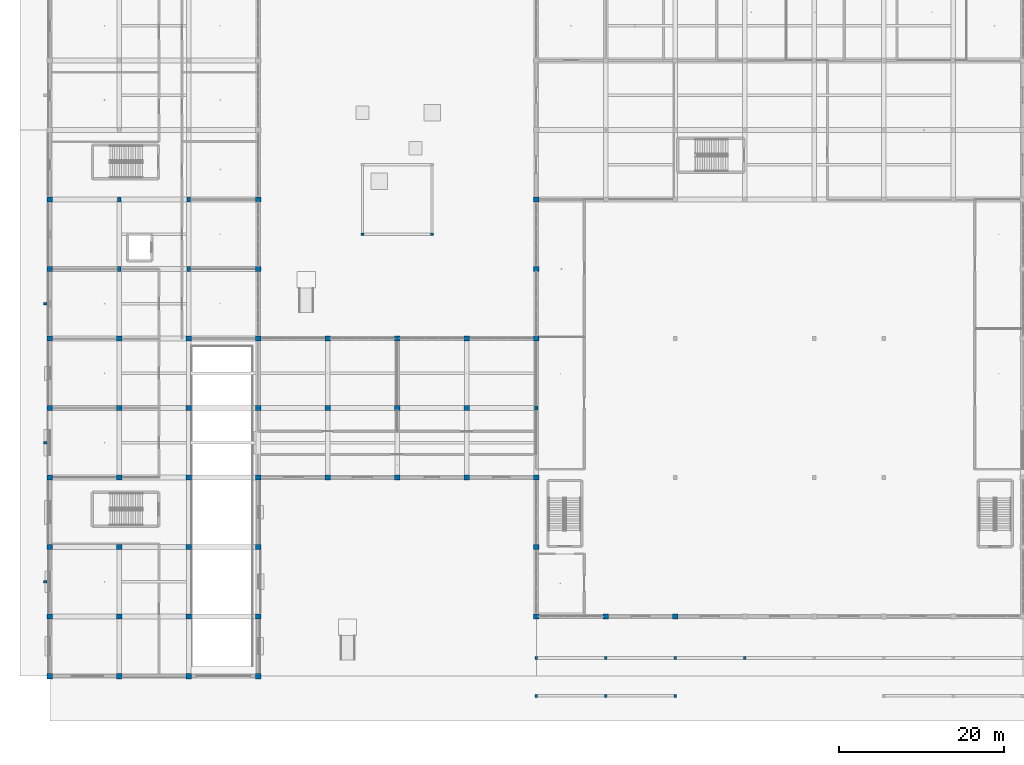
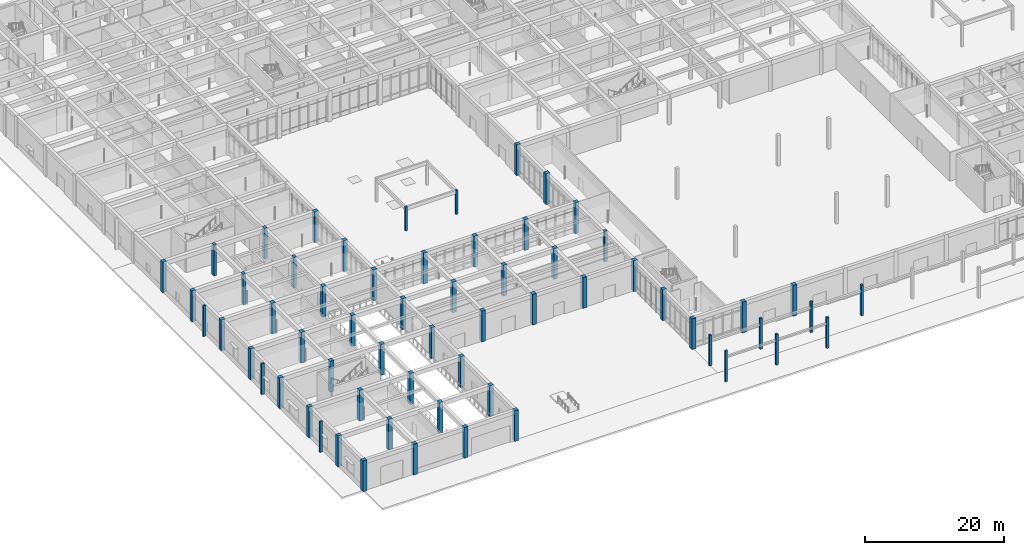
# One storey, part 1 of 167: 62 columns.
"""IFC4 building model written with IfcOpenShell, lengths in metres."""

from ifc_helpers import new_model, si_unit, direction, frame, origin, origin_2d, place, context, subcontext, project, spatial, rectangle, extrude, material, material_profile, profile_set, type_object, element, save


model = new_model("IFC4")

# Units and contexts
model_context = context("Model", 3, precision=1e-05, world=origin(), true_north=direction((0.0, 1.0)))
body_context = subcontext(model_context, "Body", "Model", "MODEL_VIEW")
ifc_project = project(units=[si_unit("LENGTHUNIT", "METRE"), si_unit("AREAUNIT", "SQUARE_METRE"), si_unit("VOLUMEUNIT", "CUBIC_METRE"), si_unit("PLANEANGLEUNIT", "RADIAN"), si_unit("MASSUNIT", "GRAM", prefix="KILO")], contexts=[model_context])

# Site, building, storey
site_placement = place(None, origin())
site = spatial("IfcSite", under=ifc_project, at=site_placement, CompositionType="ELEMENT")
building_placement = place(site_placement, origin())
building = spatial("IfcBuilding", under=site, at=building_placement, Name="Varncliffe General Hospital", CompositionType="ELEMENT")
storey_placement = place(building_placement, origin())
storey = spatial("IfcBuildingStorey", under=building, at=storey_placement, Name="L00", CompositionType="ELEMENT", Elevation=0.0)

# Columns
ifc_material_1 = material(Name="Glulam GL28h (CSA O86 24f-EX, 30 MPa)", Category="wood")
ifc_material_profile_1 = material_profile(ifc_material_1, rectangle(XDim=0.35009765625, YDim=0.35009765625, at=origin_2d()), Name="GL 350x350")
ifc_profile_set_1 = profile_set([ifc_material_profile_1], Name="Glulam GL28h (CSA O86 24f-EX, 30 MPa)")
column_type_1 = type_object("IfcColumnType", Name="Column C12 (Ext GL 350x350)", PredefinedType="COLUMN", material=ifc_profile_set_1)
for number, where, z_axis, x_axis, name in (
    (1, (58.800048828125, -2.39990234375, 0.0), (0.0, 0.0, 1.0), (1.0, 0.0, 0.0), "L00 Column C12"),
    (2, (58.800048828125, 2.199951171875, 0.0), (0.0, 0.0, 1.0), (1.0, 0.0, 0.0), "L00 Column C12"),
    (3, (67.199951171875, -2.39990234375, 0.0), (0.0, 0.0, 1.0), (1.0, 0.0, 0.0), "L00 Column C12"),
    (4, (67.199951171875, 2.199951171875, 0.0), (0.0, 0.0, 1.0), (1.0, 0.0, 0.0), "L00 Column C12"),
    (5, (75.60009765625, -2.39990234375, 0.0), (0.0, 0.0, 1.0), (1.0, 0.0, 0.0), "L00 Column C12"),
    (6, (75.60009765625, 2.199951171875, 0.0), (0.0, 0.0, 1.0), (1.0, 0.0, 0.0), "L00 Column C12"),
    (7, (84.0, 2.199951171875, 0.0), (0.0, 0.0, 1.0), (1.0, 0.0, 0.0), "L00 Column C12"),
):
    element("IfcColumn", number, at=place(storey_placement, frame(where, z_axis=z_axis, x_axis=x_axis)), inside=storey, type_object=column_type_1, Name=name, PredefinedType="COLUMN", context=body_context, shape_type="SweptSolid", body=[
        extrude(rectangle(XDim=0.35009765625, YDim=0.35009765625, at=origin_2d()), origin(), (0.0, 0.0, 1.0), 5.39990234375),
    ])
ifc_material_2 = material(Name="Concrete C40/50 (CSA A23.1 40 MPa)", Category="concrete")
ifc_material_profile_2 = material_profile(ifc_material_2, rectangle(XDim=0.64990234375, YDim=0.64990234375, at=origin_2d()), Name="RC 650x650")
ifc_profile_set_2 = profile_set([ifc_material_profile_2], Name="Concrete C40/50 (CSA A23.1 40 MPa)")
column_type_2 = type_object("IfcColumnType", Name="Column C21 (Ext RC 650x650)", PredefinedType="COLUMN", material=ifc_profile_set_2)
for number, where, z_axis, x_axis, name in (
    (8, (0.0, 0.0, 0.0), (0.0, 0.0, 1.0), (1.0, 0.0, 0.0), "L00 Column C21"),
    (9, (0.0, 7.199951171875, 0.0), (0.0, 0.0, 1.0), (1.0, 0.0, 0.0), "L00 Column C21"),
    (10, (0.0, 15.60009765625, 0.0), (0.0, 0.0, 1.0), (1.0, 0.0, 0.0), "L00 Column C21"),
    (11, (0.0, 24.0, 0.0), (0.0, 0.0, 1.0), (1.0, 0.0, 0.0), "L00 Column C21"),
    (12, (0.0, 32.39990234375, 0.0), (0.0, 0.0, 1.0), (1.0, 0.0, 0.0), "L00 Column C21"),
    (13, (0.0, 40.800048828125, 0.0), (0.0, 0.0, 1.0), (1.0, 0.0, 0.0), "L00 Column C21"),
    (14, (0.0, 49.199951171875, 0.0), (0.0, 0.0, 1.0), (1.0, 0.0, 0.0), "L00 Column C21"),
    (15, (0.0, 57.60009765625, 0.0), (0.0, 0.0, 1.0), (1.0, 0.0, 0.0), "L00 Column C21"),
    (16, (8.39990234375, 0.0, 0.0), (0.0, 0.0, 1.0), (1.0, 0.0, 0.0), "L00 Column C21"),
    (17, (16.800048828125, 0.0, 0.0), (0.0, 0.0, 1.0), (1.0, 0.0, 0.0), "L00 Column C21"),
    (18, (25.199951171875, 0.0, 0.0), (0.0, 0.0, 1.0), (1.0, 0.0, 0.0), "L00 Column C21"),
    (19, (25.199951171875, 7.199951171875, 0.0), (0.0, 0.0, 1.0), (1.0, 0.0, 0.0), "L00 Column C21"),
    (20, (25.199951171875, 15.60009765625, 0.0), (0.0, 0.0, 1.0), (1.0, 0.0, 0.0), "L00 Column C21"),
    (21, (25.199951171875, 24.0, 0.0), (0.0, 0.0, 1.0), (1.0, 0.0, 0.0), "L00 Column C21"),
    (22, (25.199951171875, 40.800048828125, 0.0), (0.0, 0.0, 1.0), (1.0, 0.0, 0.0), "L00 Column C21"),
    (23, (25.199951171875, 49.199951171875, 0.0), (0.0, 0.0, 1.0), (1.0, 0.0, 0.0), "L00 Column C21"),
    (24, (25.199951171875, 57.60009765625, 0.0), (0.0, 0.0, 1.0), (1.0, 0.0, 0.0), "L00 Column C21"),
    (25, (33.60009765625, 24.0, 0.0), (0.0, 0.0, 1.0), (1.0, 0.0, 0.0), "L00 Column C21"),
    (26, (33.60009765625, 40.800048828125, 0.0), (0.0, 0.0, 1.0), (1.0, 0.0, 0.0), "L00 Column C21"),
    (27, (42.0, 24.0, 0.0), (0.0, 0.0, 1.0), (1.0, 0.0, 0.0), "L00 Column C21"),
    (28, (42.0, 40.800048828125, 0.0), (0.0, 0.0, 1.0), (1.0, 0.0, 0.0), "L00 Column C21"),
    (29, (50.39990234375, 24.0, 0.0), (0.0, 0.0, 1.0), (1.0, 0.0, 0.0), "L00 Column C21"),
    (30, (50.39990234375, 40.800048828125, 0.0), (0.0, 0.0, 1.0), (1.0, 0.0, 0.0), "L00 Column C21"),
    (31, (58.800048828125, 7.199951171875, 0.0), (0.0, 0.0, 1.0), (1.0, 0.0, 0.0), "L00 Column C21"),
    (32, (58.800048828125, 15.60009765625, 0.0), (0.0, 0.0, 1.0), (1.0, 0.0, 0.0), "L00 Column C21"),
    (33, (58.800048828125, 24.0, 0.0), (0.0, 0.0, 1.0), (1.0, 0.0, 0.0), "L00 Column C21"),
    (34, (58.800048828125, 40.800048828125, 0.0), (0.0, 0.0, 1.0), (1.0, 0.0, 0.0), "L00 Column C21"),
    (35, (58.800048828125, 49.199951171875, 0.0), (0.0, 0.0, 1.0), (1.0, 0.0, 0.0), "L00 Column C21"),
    (36, (58.800048828125, 57.60009765625, 0.0), (0.0, 0.0, 1.0), (1.0, 0.0, 0.0), "L00 Column C21"),
    (37, (67.199951171875, 7.199951171875, 0.0), (0.0, 0.0, 1.0), (1.0, 0.0, 0.0), "L00 Column C21"),
    (38, (75.60009765625, 7.199951171875, 0.0), (0.0, 0.0, 1.0), (1.0, 0.0, 0.0), "L00 Column C21"),
):
    element("IfcColumn", number, at=place(storey_placement, frame(where, z_axis=z_axis, x_axis=x_axis)), inside=storey, type_object=column_type_2, Name=name, PredefinedType="COLUMN", context=body_context, shape_type="SweptSolid", body=[
        extrude(rectangle(XDim=0.64990234375, YDim=0.64990234375, at=origin_2d()), origin(), (0.0, 0.0, 1.0), 5.39990234375),
    ])
ifc_material_profile_3 = material_profile(ifc_material_2, rectangle(XDim=0.64990234375, YDim=0.64990234375, at=origin_2d()), Name="RC 650x650")
ifc_profile_set_3 = profile_set([ifc_material_profile_3], Name="Concrete C40/50 (CSA A23.1 40 MPa)")
column_type_3 = type_object("IfcColumnType", Name="Column C29 (Int RC 650x650)", PredefinedType="COLUMN", material=ifc_profile_set_3)
for number, where, z_axis, x_axis, name in (
    (39, (8.39990234375, 7.199951171875, 0.0), (0.0, 0.0, 1.0), (1.0, 0.0, 0.0), "L00 Column C29"),
    (40, (8.39990234375, 15.60009765625, 0.0), (0.0, 0.0, 1.0), (1.0, 0.0, 0.0), "L00 Column C29"),
    (41, (8.39990234375, 24.0, 0.0), (0.0, 0.0, 1.0), (1.0, 0.0, 0.0), "L00 Column C29"),
    (42, (8.39990234375, 32.39990234375, 0.0), (0.0, 0.0, 1.0), (1.0, 0.0, 0.0), "L00 Column C29"),
    (43, (8.39990234375, 40.800048828125, 0.0), (0.0, 0.0, 1.0), (1.0, 0.0, 0.0), "L00 Column C29"),
    (44, (16.800048828125, 7.199951171875, 0.0), (0.0, 0.0, 1.0), (1.0, 0.0, 0.0), "L00 Column C29"),
    (45, (16.800048828125, 15.60009765625, 0.0), (0.0, 0.0, 1.0), (1.0, 0.0, 0.0), "L00 Column C29"),
    (46, (16.800048828125, 24.0, 0.0), (0.0, 0.0, 1.0), (1.0, 0.0, 0.0), "L00 Column C29"),
    (47, (16.800048828125, 32.39990234375, 0.0), (0.0, 0.0, 1.0), (1.0, 0.0, 0.0), "L00 Column C29"),
    (48, (16.800048828125, 40.800048828125, 0.0), (0.0, 0.0, 1.0), (1.0, 0.0, 0.0), "L00 Column C29"),
    (49, (25.199951171875, 32.39990234375, 0.0), (0.0, 0.0, 1.0), (1.0, 0.0, 0.0), "L00 Column C29"),
    (50, (33.60009765625, 32.39990234375, 0.0), (0.0, 0.0, 1.0), (1.0, 0.0, 0.0), "L00 Column C29"),
    (51, (42.0, 32.39990234375, 0.0), (0.0, 0.0, 1.0), (1.0, 0.0, 0.0), "L00 Column C29"),
    (52, (50.39990234375, 32.39990234375, 0.0), (0.0, 0.0, 1.0), (1.0, 0.0, 0.0), "L00 Column C29"),
):
    element("IfcColumn", number, at=place(storey_placement, frame(where, z_axis=z_axis, x_axis=x_axis)), inside=storey, type_object=column_type_3, Name=name, PredefinedType="COLUMN", context=body_context, shape_type="SweptSolid", body=[
        extrude(rectangle(XDim=0.64990234375, YDim=0.64990234375, at=origin_2d()), origin(), (0.0, 0.0, 1.0), 5.39990234375),
    ])
ifc_material_profile_4 = material_profile(ifc_material_1, rectangle(XDim=0.449951171875, YDim=0.449951171875, at=origin_2d()), Name="GL 450x450")
ifc_profile_set_4 = profile_set([ifc_material_profile_4], Name="Glulam GL28h (CSA O86 24f-EX, 30 MPa)")
column_type_4 = type_object("IfcColumnType", Name="Column C36 (Int GL 450x450)", PredefinedType="COLUMN", material=ifc_profile_set_4)
column_placement = place(storey_placement, frame((58.800048828125, 32.39990234375, 0.0), z_axis=(0.0, 0.0, 1.0), x_axis=(1.0, 0.0, 0.0)))
element("IfcColumn", 53, at=column_placement, inside=storey, type_object=column_type_4, Name="L00 Column C36", PredefinedType="COLUMN", context=body_context, shape_type="SweptSolid", body=[
    extrude(rectangle(XDim=0.449951171875, YDim=0.449951171875, at=origin_2d()), origin(), (0.0, 0.0, 1.0), 5.39990234375),
])
ifc_material_profile_5 = material_profile(ifc_material_1, rectangle(XDim=0.31494140625, YDim=0.31494140625, at=origin_2d()), Name="GL 315x315")
ifc_profile_set_5 = profile_set([ifc_material_profile_5], Name="Glulam GL28h (CSA O86 24f-EX, 30 MPa)")
column_type_5 = type_object("IfcColumnType", Name="Column C39 (Ext GL 315x315)", PredefinedType="COLUMN", material=ifc_profile_set_5)
for number, where, z_axis, x_axis, name in (
    (54, (37.800048828125, 53.39990234375, 0.0), (0.0, 0.0, 1.0), (1.0, 0.0, 0.0), "L00 Cloister Pergola Glulam Column 1"),
    (55, (46.199951171875, 53.39990234375, 0.0), (0.0, 0.0, 1.0), (1.0, 0.0, 0.0), "L00 Cloister Pergola Glulam Column 2"),
):
    element("IfcColumn", number, at=place(storey_placement, frame(where, z_axis=z_axis, x_axis=x_axis)), inside=storey, type_object=column_type_5, Name=name, PredefinedType="COLUMN", context=body_context, shape_type="SweptSolid", body=[
        extrude(rectangle(XDim=0.31494140625, YDim=0.31494140625, at=origin_2d()), origin(), (0.0, 0.0, 1.0), 4.199951171875),
    ])
ifc_material_profile_6 = material_profile(ifc_material_2, rectangle(XDim=0.449951171875, YDim=0.64990234375, at=origin_2d()), Name="RC 450x650")
ifc_profile_set_6 = profile_set([ifc_material_profile_6], Name="Concrete C40/50 (CSA A23.1 40 MPa)")
column_type_6 = type_object("IfcColumnType", Name="Column C71 (Int RC 450x650)", PredefinedType="COLUMN", material=ifc_profile_set_6)
for number, where, z_axis, x_axis, name in (
    (56, (8.39990234375, 49.199951171875, 0.0), (0.0, 0.0, 1.0), (1.0, 0.0, 0.0), "L00 Column C71"),
    (57, (8.39990234375, 57.60009765625, 0.0), (0.0, 0.0, 1.0), (1.0, 0.0, 0.0), "L00 Column C71"),
    (58, (16.800048828125, 49.199951171875, 0.0), (0.0, 0.0, 1.0), (1.0, 0.0, 0.0), "L00 Column C71"),
    (59, (16.800048828125, 57.60009765625, 0.0), (0.0, 0.0, 1.0), (1.0, 0.0, 0.0), "L00 Column C71"),
):
    element("IfcColumn", number, at=place(storey_placement, frame(where, z_axis=z_axis, x_axis=x_axis)), inside=storey, type_object=column_type_6, Name=name, PredefinedType="COLUMN", context=body_context, shape_type="SweptSolid", body=[
        extrude(rectangle(XDim=0.449951171875, YDim=0.64990234375, at=origin_2d()), origin(), (0.0, 0.0, 1.0), 5.39990234375),
    ])
ifc_material_3 = material(Name="Precast concrete C40/50", Category="concrete")
ifc_material_profile_7 = material_profile(ifc_material_3, rectangle(XDim=0.449951171875, YDim=0.280029296875, at=origin_2d()), Name="PIL 450x280")
ifc_profile_set_7 = profile_set([ifc_material_profile_7], Name="Precast concrete C40/50")
column_type_7 = type_object("IfcColumnType", Name="Pilaster PL64 (PIL 450x280)", PredefinedType="PILASTER", material=ifc_profile_set_7)
for number, where, z_axis, x_axis, name in (
    (60, (-0.550048828125, 11.39990234375, 0.0), (0.0, 0.0, 1.0), (1.0, 0.0, 0.0), "L00 Facade Pilaster PL64-4"),
    (61, (-0.550048828125, 28.199951171875, 0.0), (0.0, 0.0, 1.0), (1.0, 0.0, 0.0), "L00 Facade Pilaster PL64-5"),
    (62, (-0.550048828125, 45.0, 0.0), (0.0, 0.0, 1.0), (1.0, 0.0, 0.0), "L00 Facade Pilaster PL64-6"),
):
    element("IfcColumn", number, at=place(storey_placement, frame(where, z_axis=z_axis, x_axis=x_axis)), inside=storey, type_object=column_type_7, Name=name, PredefinedType="PILASTER", context=body_context, shape_type="SweptSolid", body=[
        extrude(rectangle(XDim=0.449951171875, YDim=0.280029296875, at=origin_2d()), origin(), (0.0, 0.0, 1.0), 5.39990234375),
    ])

save(model, "model.ifc")
